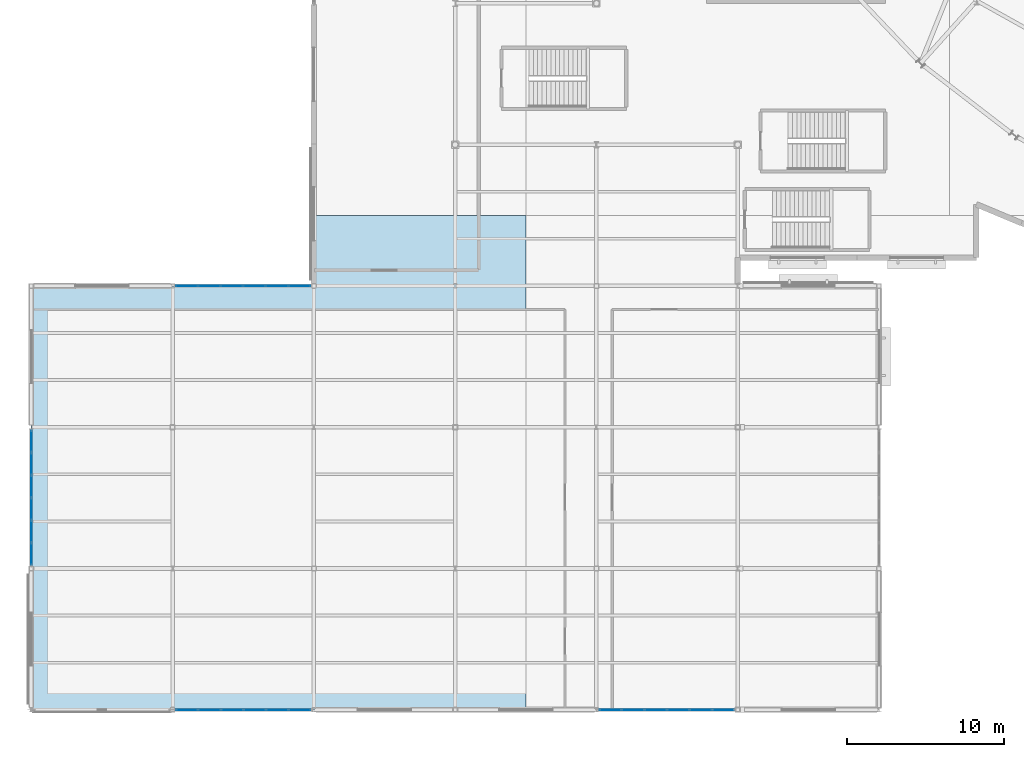
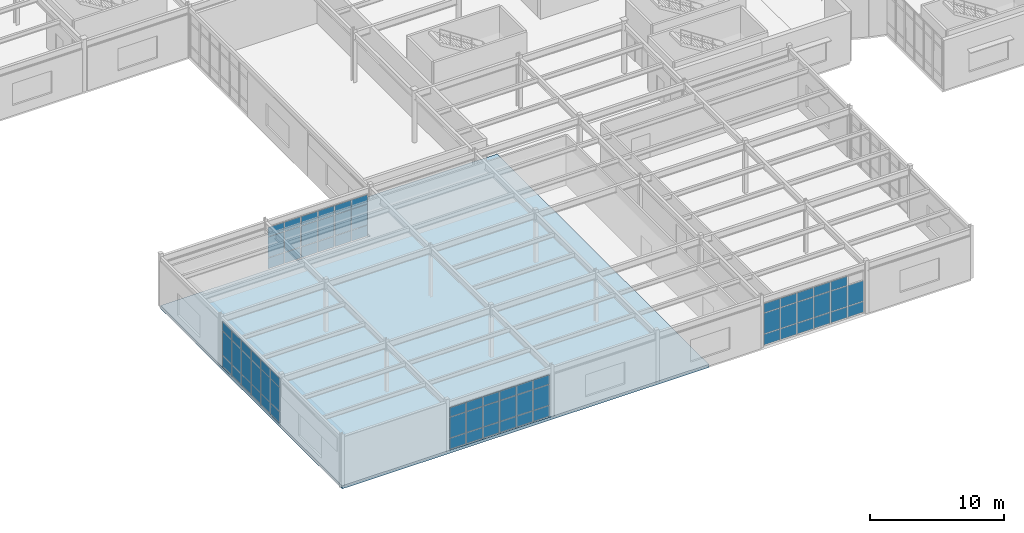
# One storey, part 49 of 84: 71 plates, 1 slab, 4 elements without a shape of their own.
"""IFC4 building model written with IfcOpenShell, lengths in metres."""

from ifc_helpers import new_model, si_unit, direction, frame, origin, origin_2d, place, context, subcontext, project, spatial, polyline, rectangle, outline, extrude, material, layer, layer_set, type_object, element, aggregate, save


model = new_model("IFC4")

# Units and contexts
model_context = context("Model", 3, precision=1e-05, world=origin(), true_north=direction((0.0, 1.0)))
body_context = subcontext(model_context, "Body", "Model", "MODEL_VIEW")
ifc_project = project(units=[si_unit("LENGTHUNIT", "METRE"), si_unit("AREAUNIT", "SQUARE_METRE"), si_unit("VOLUMEUNIT", "CUBIC_METRE"), si_unit("PLANEANGLEUNIT", "RADIAN"), si_unit("MASSUNIT", "GRAM", prefix="KILO")], contexts=[model_context])

# Site, building, storey
site_placement = place(None, origin())
site = spatial("IfcSite", under=ifc_project, at=site_placement, CompositionType="ELEMENT")
building_placement = place(site_placement, origin())
building = spatial("IfcBuilding", under=site, at=building_placement, Name="Glasvene Arena", CompositionType="ELEMENT")
storey_placement = place(building_placement, frame((0.0, 0.0, 10.199951171875)))
storey = spatial("IfcBuildingStorey", under=building, at=storey_placement, Name="L02", CompositionType="ELEMENT", Elevation=10.199951171875)

# Curtain wall, plates
ifc_material_1 = material(Name="Low-emissivity laminated double glazing", Category="glass")
curtain_wall_type_1 = type_object("IfcCurtainWallType", Name="CW-FAC-L02-864x385", PredefinedType="USERDEFINED", material=ifc_material_1)
curtain_wall_1_placement = place(storey_placement, frame((44.80810546875, 0.0, 0.0)))
curtain_wall_1 = element("IfcCurtainWall", 1, at=curtain_wall_1_placement, inside=storey, type_object=curtain_wall_type_1, Name="Unitised curtain wall CW-F-L02-150-405-0-70", ObjectType="CURTAIN WALL", PredefinedType="USERDEFINED")
ifc_layer_1 = layer(ifc_material_1, 0.028076171875)
ifc_layer_set_1 = layer_set([ifc_layer_1], Name="Low-emissivity laminated double glazing")
plate_type = type_object("IfcPlateType", Name="CW-GLZ-28", PredefinedType="CURTAIN_PANEL", material=ifc_layer_set_1)
plate_1_placement = place(storey_placement, frame((44.07568359375, 0.0, 0.10986328125), z_axis=(0.0, 0.0, 1.0), x_axis=(-1.0, 0.0, 0.0)))
plate_1 = element("IfcPlate", 2, at=plate_1_placement, type_object=plate_type, Name="CW-030 panel 1.1", PredefinedType="CURTAIN_PANEL", context=body_context, shape_type="SweptSolid", body=[
    extrude(rectangle(XDim=1.36474609375, YDim=0.028076171875, at=origin_2d()), origin(), (0.0, 0.0, 1.0), 0.965087890625),
])
plate_2_placement = place(storey_placement, frame((44.07568359375, 0.0, 1.125), z_axis=(0.0, 0.0, 1.0), x_axis=(-1.0, 0.0, 0.0)))
plate_2 = element("IfcPlate", 3, at=plate_2_placement, type_object=plate_type, Name="CW-030 panel 1.2", PredefinedType="CURTAIN_PANEL", context=body_context, shape_type="SweptSolid", body=[
    extrude(rectangle(XDim=1.36474609375, YDim=0.028076171875, at=origin_2d()), origin(), (0.0, 0.0, 1.0), 1.85693359375),
])
plate_3_placement = place(storey_placement, frame((42.6484375, 0.0, 0.10986328125), z_axis=(0.0, 0.0, 1.0), x_axis=(-1.0, 0.0, 0.0)))
plate_3 = element("IfcPlate", 4, at=plate_3_placement, type_object=plate_type, Name="CW-030 panel 2.1", PredefinedType="CURTAIN_PANEL", context=body_context, shape_type="SweptSolid", body=[
    extrude(rectangle(XDim=1.3896484375, YDim=0.028076171875, at=origin_2d()), origin(), (0.0, 0.0, 1.0), 0.965087890625),
])
plate_4_placement = place(storey_placement, frame((42.6484375, 0.0, 1.125), z_axis=(0.0, 0.0, 1.0), x_axis=(-1.0, 0.0, 0.0)))
plate_4 = element("IfcPlate", 5, at=plate_4_placement, type_object=plate_type, Name="CW-030 panel 2.2", PredefinedType="CURTAIN_PANEL", context=body_context, shape_type="SweptSolid", body=[
    extrude(rectangle(XDim=1.3896484375, YDim=0.028076171875, at=origin_2d()), origin(), (0.0, 0.0, 1.0), 1.85693359375),
])
plate_5_placement = place(storey_placement, frame((42.6484375, 0.0, 3.0322265625), z_axis=(0.0, 0.0, 1.0), x_axis=(-1.0, 0.0, 0.0)))
plate_5 = element("IfcPlate", 6, at=plate_5_placement, type_object=plate_type, Name="CW-030 panel 2.3", PredefinedType="CURTAIN_PANEL", context=body_context, shape_type="SweptSolid", body=[
    extrude(rectangle(XDim=1.3896484375, YDim=0.028076171875, at=origin_2d()), origin(), (0.0, 0.0, 1.0), 0.824951171875),
])
plate_6_placement = place(storey_placement, frame((41.208984375, 0.0, 0.10986328125), z_axis=(0.0, 0.0, 1.0), x_axis=(-1.0, 0.0, 0.0)))
plate_6 = element("IfcPlate", 7, at=plate_6_placement, type_object=plate_type, Name="CW-030 panel 3.1", PredefinedType="CURTAIN_PANEL", context=body_context, shape_type="SweptSolid", body=[
    extrude(rectangle(XDim=1.3896484375, YDim=0.028076171875, at=origin_2d()), origin(), (0.0, 0.0, 1.0), 0.965087890625),
])
plate_7_placement = place(storey_placement, frame((41.208984375, 0.0, 1.125), z_axis=(0.0, 0.0, 1.0), x_axis=(-1.0, 0.0, 0.0)))
plate_7 = element("IfcPlate", 8, at=plate_7_placement, type_object=plate_type, Name="CW-030 panel 3.2", PredefinedType="CURTAIN_PANEL", context=body_context, shape_type="SweptSolid", body=[
    extrude(rectangle(XDim=1.3896484375, YDim=0.028076171875, at=origin_2d()), origin(), (0.0, 0.0, 1.0), 1.85693359375),
])
plate_8_placement = place(storey_placement, frame((41.208984375, 0.0, 3.0322265625), z_axis=(0.0, 0.0, 1.0), x_axis=(-1.0, 0.0, 0.0)))
plate_8 = element("IfcPlate", 9, at=plate_8_placement, type_object=plate_type, Name="CW-030 panel 3.3", PredefinedType="CURTAIN_PANEL", context=body_context, shape_type="SweptSolid", body=[
    extrude(rectangle(XDim=1.3896484375, YDim=0.028076171875, at=origin_2d()), origin(), (0.0, 0.0, 1.0), 0.824951171875),
])
plate_9_placement = place(storey_placement, frame((39.769287109375, 0.0, 0.10986328125), z_axis=(0.0, 0.0, 1.0), x_axis=(-1.0, 0.0, 0.0)))
plate_9 = element("IfcPlate", 10, at=plate_9_placement, type_object=plate_type, Name="CW-030 panel 4.1", PredefinedType="CURTAIN_PANEL", context=body_context, shape_type="SweptSolid", body=[
    extrude(rectangle(XDim=1.3896484375, YDim=0.028076171875, at=origin_2d()), origin(), (0.0, 0.0, 1.0), 0.965087890625),
])
plate_10_placement = place(storey_placement, frame((39.769287109375, 0.0, 1.125), z_axis=(0.0, 0.0, 1.0), x_axis=(-1.0, 0.0, 0.0)))
plate_10 = element("IfcPlate", 11, at=plate_10_placement, type_object=plate_type, Name="CW-030 panel 4.2", PredefinedType="CURTAIN_PANEL", context=body_context, shape_type="SweptSolid", body=[
    extrude(rectangle(XDim=1.3896484375, YDim=0.028076171875, at=origin_2d()), origin(), (0.0, 0.0, 1.0), 1.85693359375),
])
plate_11_placement = place(storey_placement, frame((39.769287109375, 0.0, 3.0322265625), z_axis=(0.0, 0.0, 1.0), x_axis=(-1.0, 0.0, 0.0)))
plate_11 = element("IfcPlate", 12, at=plate_11_placement, type_object=plate_type, Name="CW-030 panel 4.3", PredefinedType="CURTAIN_PANEL", context=body_context, shape_type="SweptSolid", body=[
    extrude(rectangle(XDim=1.3896484375, YDim=0.028076171875, at=origin_2d()), origin(), (0.0, 0.0, 1.0), 0.824951171875),
])
plate_12_placement = place(storey_placement, frame((38.32958984375, 0.0, 0.10986328125), z_axis=(0.0, 0.0, 1.0), x_axis=(-1.0, 0.0, 0.0)))
plate_12 = element("IfcPlate", 13, at=plate_12_placement, type_object=plate_type, Name="CW-030 panel 5.1", PredefinedType="CURTAIN_PANEL", context=body_context, shape_type="SweptSolid", body=[
    extrude(rectangle(XDim=1.3896484375, YDim=0.028076171875, at=origin_2d()), origin(), (0.0, 0.0, 1.0), 0.965087890625),
])
plate_13_placement = place(storey_placement, frame((38.32958984375, 0.0, 1.125), z_axis=(0.0, 0.0, 1.0), x_axis=(-1.0, 0.0, 0.0)))
plate_13 = element("IfcPlate", 14, at=plate_13_placement, type_object=plate_type, Name="CW-030 panel 5.2", PredefinedType="CURTAIN_PANEL", context=body_context, shape_type="SweptSolid", body=[
    extrude(rectangle(XDim=1.3896484375, YDim=0.028076171875, at=origin_2d()), origin(), (0.0, 0.0, 1.0), 1.85693359375),
])
plate_14_placement = place(storey_placement, frame((38.32958984375, 0.0, 3.0322265625), z_axis=(0.0, 0.0, 1.0), x_axis=(-1.0, 0.0, 0.0)))
plate_14 = element("IfcPlate", 15, at=plate_14_placement, type_object=plate_type, Name="CW-030 panel 5.3", PredefinedType="CURTAIN_PANEL", context=body_context, shape_type="SweptSolid", body=[
    extrude(rectangle(XDim=1.3896484375, YDim=0.028076171875, at=origin_2d()), origin(), (0.0, 0.0, 1.0), 0.824951171875),
])
plate_15_placement = place(storey_placement, frame((36.902587890625, 0.0, 0.10986328125), z_axis=(0.0, 0.0, 1.0), x_axis=(-1.0, 0.0, 0.0)))
plate_15 = element("IfcPlate", 16, at=plate_15_placement, type_object=plate_type, Name="CW-030 panel 6.1", PredefinedType="CURTAIN_PANEL", context=body_context, shape_type="SweptSolid", body=[
    extrude(rectangle(XDim=1.36474609375, YDim=0.028076171875, at=origin_2d()), origin(), (0.0, 0.0, 1.0), 0.965087890625),
])
plate_16_placement = place(storey_placement, frame((36.902587890625, 0.0, 1.125), z_axis=(0.0, 0.0, 1.0), x_axis=(-1.0, 0.0, 0.0)))
plate_16 = element("IfcPlate", 17, at=plate_16_placement, type_object=plate_type, Name="CW-030 panel 6.2", PredefinedType="CURTAIN_PANEL", context=body_context, shape_type="SweptSolid", body=[
    extrude(rectangle(XDim=1.36474609375, YDim=0.028076171875, at=origin_2d()), origin(), (0.0, 0.0, 1.0), 1.85693359375),
])
plate_17_placement = place(storey_placement, frame((36.902587890625, 0.0, 3.0322265625), z_axis=(0.0, 0.0, 1.0), x_axis=(-1.0, 0.0, 0.0)))
plate_17 = element("IfcPlate", 18, at=plate_17_placement, type_object=plate_type, Name="CW-030 panel 6.3", PredefinedType="CURTAIN_PANEL", context=body_context, shape_type="SweptSolid", body=[
    extrude(rectangle(XDim=1.36474609375, YDim=0.028076171875, at=origin_2d()), origin(), (0.0, 0.0, 1.0), 0.824951171875),
])
aggregate(curtain_wall_1, [plate_1, plate_2, plate_3, plate_4, plate_5, plate_6, plate_7, plate_8, plate_9, plate_10, plate_11, plate_12, plate_13, plate_14, plate_15, plate_16, plate_17])

curtain_wall_2_placement = place(storey_placement, frame((17.829833984375, 0.0, 0.0)))
curtain_wall_2 = element("IfcCurtainWall", 19, at=curtain_wall_2_placement, inside=storey, type_object=curtain_wall_type_1, Name="Unitised curtain wall CW-F-L02-150-135-0-73", ObjectType="CURTAIN WALL", PredefinedType="USERDEFINED")
plate_18_placement = place(storey_placement, frame((17.097412109375, 0.0, 0.10986328125), z_axis=(0.0, 0.0, 1.0), x_axis=(-1.0, 0.0, 0.0)))
plate_18 = element("IfcPlate", 20, at=plate_18_placement, type_object=plate_type, Name="CW-030 panel 1.1", PredefinedType="CURTAIN_PANEL", context=body_context, shape_type="SweptSolid", body=[
    extrude(rectangle(XDim=1.36474609375, YDim=0.028076171875, at=origin_2d()), origin(), (0.0, 0.0, 1.0), 0.965087890625),
])
plate_19_placement = place(storey_placement, frame((17.097412109375, 0.0, 1.125), z_axis=(0.0, 0.0, 1.0), x_axis=(-1.0, 0.0, 0.0)))
plate_19 = element("IfcPlate", 21, at=plate_19_placement, type_object=plate_type, Name="CW-030 panel 1.2", PredefinedType="CURTAIN_PANEL", context=body_context, shape_type="SweptSolid", body=[
    extrude(rectangle(XDim=1.36474609375, YDim=0.028076171875, at=origin_2d()), origin(), (0.0, 0.0, 1.0), 1.85693359375),
])
plate_20_placement = place(storey_placement, frame((17.097412109375, 0.0, 3.0322265625), z_axis=(0.0, 0.0, 1.0), x_axis=(-1.0, 0.0, 0.0)))
plate_20 = element("IfcPlate", 22, at=plate_20_placement, type_object=plate_type, Name="CW-030 panel 1.3", PredefinedType="CURTAIN_PANEL", context=body_context, shape_type="SweptSolid", body=[
    extrude(rectangle(XDim=1.36474609375, YDim=0.028076171875, at=origin_2d()), origin(), (0.0, 0.0, 1.0), 0.824951171875),
])
plate_21_placement = place(storey_placement, frame((15.67041015625, 0.0, 0.10986328125), z_axis=(0.0, 0.0, 1.0), x_axis=(-1.0, 0.0, 0.0)))
plate_21 = element("IfcPlate", 23, at=plate_21_placement, type_object=plate_type, Name="CW-030 panel 2.1", PredefinedType="CURTAIN_PANEL", context=body_context, shape_type="SweptSolid", body=[
    extrude(rectangle(XDim=1.3896484375, YDim=0.028076171875, at=origin_2d()), origin(), (0.0, 0.0, 1.0), 0.965087890625),
])
plate_22_placement = place(storey_placement, frame((15.67041015625, 0.0, 1.125), z_axis=(0.0, 0.0, 1.0), x_axis=(-1.0, 0.0, 0.0)))
plate_22 = element("IfcPlate", 24, at=plate_22_placement, type_object=plate_type, Name="CW-030 panel 2.2", PredefinedType="CURTAIN_PANEL", context=body_context, shape_type="SweptSolid", body=[
    extrude(rectangle(XDim=1.3896484375, YDim=0.028076171875, at=origin_2d()), origin(), (0.0, 0.0, 1.0), 1.85693359375),
])
plate_23_placement = place(storey_placement, frame((15.67041015625, 0.0, 3.0322265625), z_axis=(0.0, 0.0, 1.0), x_axis=(-1.0, 0.0, 0.0)))
plate_23 = element("IfcPlate", 25, at=plate_23_placement, type_object=plate_type, Name="CW-030 panel 2.3", PredefinedType="CURTAIN_PANEL", context=body_context, shape_type="SweptSolid", body=[
    extrude(rectangle(XDim=1.3896484375, YDim=0.028076171875, at=origin_2d()), origin(), (0.0, 0.0, 1.0), 0.824951171875),
])
plate_24_placement = place(storey_placement, frame((14.230712890625, 0.0, 0.10986328125), z_axis=(0.0, 0.0, 1.0), x_axis=(-1.0, 0.0, 0.0)))
plate_24 = element("IfcPlate", 26, at=plate_24_placement, type_object=plate_type, Name="CW-030 panel 3.1", PredefinedType="CURTAIN_PANEL", context=body_context, shape_type="SweptSolid", body=[
    extrude(rectangle(XDim=1.3896484375, YDim=0.028076171875, at=origin_2d()), origin(), (0.0, 0.0, 1.0), 0.965087890625),
])
plate_25_placement = place(storey_placement, frame((14.230712890625, 0.0, 1.125), z_axis=(0.0, 0.0, 1.0), x_axis=(-1.0, 0.0, 0.0)))
plate_25 = element("IfcPlate", 27, at=plate_25_placement, type_object=plate_type, Name="CW-030 panel 3.2", PredefinedType="CURTAIN_PANEL", context=body_context, shape_type="SweptSolid", body=[
    extrude(rectangle(XDim=1.3896484375, YDim=0.028076171875, at=origin_2d()), origin(), (0.0, 0.0, 1.0), 1.85693359375),
])
plate_26_placement = place(storey_placement, frame((14.230712890625, 0.0, 3.0322265625), z_axis=(0.0, 0.0, 1.0), x_axis=(-1.0, 0.0, 0.0)))
plate_26 = element("IfcPlate", 28, at=plate_26_placement, type_object=plate_type, Name="CW-030 panel 3.3", PredefinedType="CURTAIN_PANEL", context=body_context, shape_type="SweptSolid", body=[
    extrude(rectangle(XDim=1.3896484375, YDim=0.028076171875, at=origin_2d()), origin(), (0.0, 0.0, 1.0), 0.824951171875),
])
plate_27_placement = place(storey_placement, frame((12.791015625, 0.0, 0.10986328125), z_axis=(0.0, 0.0, 1.0), x_axis=(-1.0, 0.0, 0.0)))
plate_27 = element("IfcPlate", 29, at=plate_27_placement, type_object=plate_type, Name="CW-030 panel 4.1", PredefinedType="CURTAIN_PANEL", context=body_context, shape_type="SweptSolid", body=[
    extrude(rectangle(XDim=1.3896484375, YDim=0.028076171875, at=origin_2d()), origin(), (0.0, 0.0, 1.0), 0.965087890625),
])
plate_28_placement = place(storey_placement, frame((12.791015625, 0.0, 1.125), z_axis=(0.0, 0.0, 1.0), x_axis=(-1.0, 0.0, 0.0)))
plate_28 = element("IfcPlate", 30, at=plate_28_placement, type_object=plate_type, Name="CW-030 panel 4.2", PredefinedType="CURTAIN_PANEL", context=body_context, shape_type="SweptSolid", body=[
    extrude(rectangle(XDim=1.3896484375, YDim=0.028076171875, at=origin_2d()), origin(), (0.0, 0.0, 1.0), 1.85693359375),
])
plate_29_placement = place(storey_placement, frame((12.791015625, 0.0, 3.0322265625), z_axis=(0.0, 0.0, 1.0), x_axis=(-1.0, 0.0, 0.0)))
plate_29 = element("IfcPlate", 31, at=plate_29_placement, type_object=plate_type, Name="CW-030 panel 4.3", PredefinedType="CURTAIN_PANEL", context=body_context, shape_type="SweptSolid", body=[
    extrude(rectangle(XDim=1.3896484375, YDim=0.028076171875, at=origin_2d()), origin(), (0.0, 0.0, 1.0), 0.824951171875),
])
plate_30_placement = place(storey_placement, frame((11.3515625, 0.0, 0.10986328125), z_axis=(0.0, 0.0, 1.0), x_axis=(-1.0, 0.0, 0.0)))
plate_30 = element("IfcPlate", 32, at=plate_30_placement, type_object=plate_type, Name="CW-030 panel 5.1", PredefinedType="CURTAIN_PANEL", context=body_context, shape_type="SweptSolid", body=[
    extrude(rectangle(XDim=1.3896484375, YDim=0.028076171875, at=origin_2d()), origin(), (0.0, 0.0, 1.0), 0.965087890625),
])
plate_31_placement = place(storey_placement, frame((11.3515625, 0.0, 1.125), z_axis=(0.0, 0.0, 1.0), x_axis=(-1.0, 0.0, 0.0)))
plate_31 = element("IfcPlate", 33, at=plate_31_placement, type_object=plate_type, Name="CW-030 panel 5.2", PredefinedType="CURTAIN_PANEL", context=body_context, shape_type="SweptSolid", body=[
    extrude(rectangle(XDim=1.3896484375, YDim=0.028076171875, at=origin_2d()), origin(), (0.0, 0.0, 1.0), 1.85693359375),
])
plate_32_placement = place(storey_placement, frame((11.3515625, 0.0, 3.0322265625), z_axis=(0.0, 0.0, 1.0), x_axis=(-1.0, 0.0, 0.0)))
plate_32 = element("IfcPlate", 34, at=plate_32_placement, type_object=plate_type, Name="CW-030 panel 5.3", PredefinedType="CURTAIN_PANEL", context=body_context, shape_type="SweptSolid", body=[
    extrude(rectangle(XDim=1.3896484375, YDim=0.028076171875, at=origin_2d()), origin(), (0.0, 0.0, 1.0), 0.824951171875),
])
plate_33_placement = place(storey_placement, frame((9.92431640625, 0.0, 0.10986328125), z_axis=(0.0, 0.0, 1.0), x_axis=(-1.0, 0.0, 0.0)))
plate_33 = element("IfcPlate", 35, at=plate_33_placement, type_object=plate_type, Name="CW-030 panel 6.1", PredefinedType="CURTAIN_PANEL", context=body_context, shape_type="SweptSolid", body=[
    extrude(rectangle(XDim=1.36474609375, YDim=0.028076171875, at=origin_2d()), origin(), (0.0, 0.0, 1.0), 0.965087890625),
])
plate_34_placement = place(storey_placement, frame((9.92431640625, 0.0, 1.125), z_axis=(0.0, 0.0, 1.0), x_axis=(-1.0, 0.0, 0.0)))
plate_34 = element("IfcPlate", 36, at=plate_34_placement, type_object=plate_type, Name="CW-030 panel 6.2", PredefinedType="CURTAIN_PANEL", context=body_context, shape_type="SweptSolid", body=[
    extrude(rectangle(XDim=1.36474609375, YDim=0.028076171875, at=origin_2d()), origin(), (0.0, 0.0, 1.0), 1.85693359375),
])
plate_35_placement = place(storey_placement, frame((9.92431640625, 0.0, 3.0322265625), z_axis=(0.0, 0.0, 1.0), x_axis=(-1.0, 0.0, 0.0)))
plate_35 = element("IfcPlate", 37, at=plate_35_placement, type_object=plate_type, Name="CW-030 panel 6.3", PredefinedType="CURTAIN_PANEL", context=body_context, shape_type="SweptSolid", body=[
    extrude(rectangle(XDim=1.36474609375, YDim=0.028076171875, at=origin_2d()), origin(), (0.0, 0.0, 1.0), 0.824951171875),
])
aggregate(curtain_wall_2, [plate_18, plate_19, plate_20, plate_21, plate_22, plate_23, plate_24, plate_25, plate_26, plate_27, plate_28, plate_29, plate_30, plate_31, plate_32, plate_33, plate_34, plate_35])

curtain_wall_type_2 = type_object("IfcCurtainWallType", Name="CW-FAC-L02-864x416", PredefinedType="USERDEFINED", material=ifc_material_1)
curtain_wall_3_placement = place(storey_placement, frame((0.0, 9.19189453125, 0.0)))
curtain_wall_3 = element("IfcCurtainWall", 38, at=curtain_wall_3_placement, inside=storey, type_object=curtain_wall_type_2, Name="Unitised curtain wall CW-F-L02-180-0-135-76", ObjectType="CURTAIN WALL", PredefinedType="USERDEFINED")
plate_36_placement = place(storey_placement, frame((0.0, 9.924072265625, 0.10986328125), z_axis=(0.0, 0.0, 1.0), x_axis=(0.0, 1.0, 0.0)))
plate_36 = element("IfcPlate", 39, at=plate_36_placement, type_object=plate_type, Name="CW-029 panel 1.1", PredefinedType="CURTAIN_PANEL", context=body_context, shape_type="SweptSolid", body=[
    extrude(rectangle(XDim=1.3642578125, YDim=0.028076171875, at=origin_2d()), origin(), (0.0, 0.0, 1.0), 0.965087890625),
])
plate_37_placement = place(storey_placement, frame((0.0, 9.924072265625, 1.125), z_axis=(0.0, 0.0, 1.0), x_axis=(0.0, 1.0, 0.0)))
plate_37 = element("IfcPlate", 40, at=plate_37_placement, type_object=plate_type, Name="CW-029 panel 1.2", PredefinedType="CURTAIN_PANEL", context=body_context, shape_type="SweptSolid", body=[
    extrude(rectangle(XDim=1.3642578125, YDim=0.028076171875, at=origin_2d()), origin(), (0.0, 0.0, 1.0), 2.1650390625),
])
plate_38_placement = place(storey_placement, frame((0.0, 9.924072265625, 3.33984375), z_axis=(0.0, 0.0, 1.0), x_axis=(0.0, 1.0, 0.0)))
plate_38 = element("IfcPlate", 41, at=plate_38_placement, type_object=plate_type, Name="CW-029 panel 1.3", PredefinedType="CURTAIN_PANEL", context=body_context, shape_type="SweptSolid", body=[
    extrude(rectangle(XDim=1.3642578125, YDim=0.028076171875, at=origin_2d()), origin(), (0.0, 0.0, 1.0), 0.824951171875),
])
plate_39_placement = place(storey_placement, frame((0.0, 11.35107421875, 0.10986328125), z_axis=(0.0, 0.0, 1.0), x_axis=(0.0, 1.0, 0.0)))
plate_39 = element("IfcPlate", 42, at=plate_39_placement, type_object=plate_type, Name="CW-029 panel 2.1", PredefinedType="CURTAIN_PANEL", context=body_context, shape_type="SweptSolid", body=[
    extrude(rectangle(XDim=1.389404296875, YDim=0.028076171875, at=origin_2d()), origin(), (0.0, 0.0, 1.0), 0.965087890625),
])
plate_40_placement = place(storey_placement, frame((0.0, 11.35107421875, 1.125), z_axis=(0.0, 0.0, 1.0), x_axis=(0.0, 1.0, 0.0)))
plate_40 = element("IfcPlate", 43, at=plate_40_placement, type_object=plate_type, Name="CW-029 panel 2.2", PredefinedType="CURTAIN_PANEL", context=body_context, shape_type="SweptSolid", body=[
    extrude(rectangle(XDim=1.389404296875, YDim=0.028076171875, at=origin_2d()), origin(), (0.0, 0.0, 1.0), 2.1650390625),
])
plate_41_placement = place(storey_placement, frame((0.0, 11.35107421875, 3.33984375), z_axis=(0.0, 0.0, 1.0), x_axis=(0.0, 1.0, 0.0)))
plate_41 = element("IfcPlate", 44, at=plate_41_placement, type_object=plate_type, Name="CW-029 panel 2.3", PredefinedType="CURTAIN_PANEL", context=body_context, shape_type="SweptSolid", body=[
    extrude(rectangle(XDim=1.389404296875, YDim=0.028076171875, at=origin_2d()), origin(), (0.0, 0.0, 1.0), 0.824951171875),
])
plate_42_placement = place(storey_placement, frame((0.0, 12.790283203125, 0.10986328125), z_axis=(0.0, 0.0, 1.0), x_axis=(0.0, 1.0, 0.0)))
plate_42 = element("IfcPlate", 45, at=plate_42_placement, type_object=plate_type, Name="CW-029 panel 3.1", PredefinedType="CURTAIN_PANEL", context=body_context, shape_type="SweptSolid", body=[
    extrude(rectangle(XDim=1.389404296875, YDim=0.028076171875, at=origin_2d()), origin(), (0.0, 0.0, 1.0), 0.965087890625),
])
plate_43_placement = place(storey_placement, frame((0.0, 12.790283203125, 1.125), z_axis=(0.0, 0.0, 1.0), x_axis=(0.0, 1.0, 0.0)))
plate_43 = element("IfcPlate", 46, at=plate_43_placement, type_object=plate_type, Name="CW-029 panel 3.2", PredefinedType="CURTAIN_PANEL", context=body_context, shape_type="SweptSolid", body=[
    extrude(rectangle(XDim=1.389404296875, YDim=0.028076171875, at=origin_2d()), origin(), (0.0, 0.0, 1.0), 2.1650390625),
])
plate_44_placement = place(storey_placement, frame((0.0, 12.790283203125, 3.33984375), z_axis=(0.0, 0.0, 1.0), x_axis=(0.0, 1.0, 0.0)))
plate_44 = element("IfcPlate", 47, at=plate_44_placement, type_object=plate_type, Name="CW-029 panel 3.3", PredefinedType="CURTAIN_PANEL", context=body_context, shape_type="SweptSolid", body=[
    extrude(rectangle(XDim=1.389404296875, YDim=0.028076171875, at=origin_2d()), origin(), (0.0, 0.0, 1.0), 0.824951171875),
])
plate_45_placement = place(storey_placement, frame((0.0, 14.2294921875, 0.10986328125), z_axis=(0.0, 0.0, 1.0), x_axis=(0.0, 1.0, 0.0)))
plate_45 = element("IfcPlate", 48, at=plate_45_placement, type_object=plate_type, Name="CW-029 panel 4.1", PredefinedType="CURTAIN_PANEL", context=body_context, shape_type="SweptSolid", body=[
    extrude(rectangle(XDim=1.389404296875, YDim=0.028076171875, at=origin_2d()), origin(), (0.0, 0.0, 1.0), 0.965087890625),
])
plate_46_placement = place(storey_placement, frame((0.0, 14.2294921875, 1.125), z_axis=(0.0, 0.0, 1.0), x_axis=(0.0, 1.0, 0.0)))
plate_46 = element("IfcPlate", 49, at=plate_46_placement, type_object=plate_type, Name="CW-029 panel 4.2", PredefinedType="CURTAIN_PANEL", context=body_context, shape_type="SweptSolid", body=[
    extrude(rectangle(XDim=1.389404296875, YDim=0.028076171875, at=origin_2d()), origin(), (0.0, 0.0, 1.0), 2.1650390625),
])
plate_47_placement = place(storey_placement, frame((0.0, 14.2294921875, 3.33984375), z_axis=(0.0, 0.0, 1.0), x_axis=(0.0, 1.0, 0.0)))
plate_47 = element("IfcPlate", 50, at=plate_47_placement, type_object=plate_type, Name="CW-029 panel 4.3", PredefinedType="CURTAIN_PANEL", context=body_context, shape_type="SweptSolid", body=[
    extrude(rectangle(XDim=1.389404296875, YDim=0.028076171875, at=origin_2d()), origin(), (0.0, 0.0, 1.0), 0.824951171875),
])
plate_48_placement = place(storey_placement, frame((0.0, 15.6689453125, 0.10986328125), z_axis=(0.0, 0.0, 1.0), x_axis=(0.0, 1.0, 0.0)))
plate_48 = element("IfcPlate", 51, at=plate_48_placement, type_object=plate_type, Name="CW-029 panel 5.1", PredefinedType="CURTAIN_PANEL", context=body_context, shape_type="SweptSolid", body=[
    extrude(rectangle(XDim=1.389404296875, YDim=0.028076171875, at=origin_2d()), origin(), (0.0, 0.0, 1.0), 0.965087890625),
])
plate_49_placement = place(storey_placement, frame((0.0, 15.6689453125, 1.125), z_axis=(0.0, 0.0, 1.0), x_axis=(0.0, 1.0, 0.0)))
plate_49 = element("IfcPlate", 52, at=plate_49_placement, type_object=plate_type, Name="CW-029 panel 5.2", PredefinedType="CURTAIN_PANEL", context=body_context, shape_type="SweptSolid", body=[
    extrude(rectangle(XDim=1.389404296875, YDim=0.028076171875, at=origin_2d()), origin(), (0.0, 0.0, 1.0), 2.1650390625),
])
plate_50_placement = place(storey_placement, frame((0.0, 15.6689453125, 3.33984375), z_axis=(0.0, 0.0, 1.0), x_axis=(0.0, 1.0, 0.0)))
plate_50 = element("IfcPlate", 53, at=plate_50_placement, type_object=plate_type, Name="CW-029 panel 5.3", PredefinedType="CURTAIN_PANEL", context=body_context, shape_type="SweptSolid", body=[
    extrude(rectangle(XDim=1.389404296875, YDim=0.028076171875, at=origin_2d()), origin(), (0.0, 0.0, 1.0), 0.824951171875),
])
plate_51_placement = place(storey_placement, frame((0.0, 17.095703125, 0.10986328125), z_axis=(0.0, 0.0, 1.0), x_axis=(0.0, 1.0, 0.0)))
plate_51 = element("IfcPlate", 54, at=plate_51_placement, type_object=plate_type, Name="CW-029 panel 6.1", PredefinedType="CURTAIN_PANEL", context=body_context, shape_type="SweptSolid", body=[
    extrude(rectangle(XDim=1.3642578125, YDim=0.028076171875, at=origin_2d()), origin(), (0.0, 0.0, 1.0), 0.965087890625),
])
plate_52_placement = place(storey_placement, frame((0.0, 17.095703125, 1.125), z_axis=(0.0, 0.0, 1.0), x_axis=(0.0, 1.0, 0.0)))
plate_52 = element("IfcPlate", 55, at=plate_52_placement, type_object=plate_type, Name="CW-029 panel 6.2", PredefinedType="CURTAIN_PANEL", context=body_context, shape_type="SweptSolid", body=[
    extrude(rectangle(XDim=1.3642578125, YDim=0.028076171875, at=origin_2d()), origin(), (0.0, 0.0, 1.0), 2.1650390625),
])
plate_53_placement = place(storey_placement, frame((0.0, 17.095703125, 3.33984375), z_axis=(0.0, 0.0, 1.0), x_axis=(0.0, 1.0, 0.0)))
plate_53 = element("IfcPlate", 56, at=plate_53_placement, type_object=plate_type, Name="CW-029 panel 6.3", PredefinedType="CURTAIN_PANEL", context=body_context, shape_type="SweptSolid", body=[
    extrude(rectangle(XDim=1.3642578125, YDim=0.028076171875, at=origin_2d()), origin(), (0.0, 0.0, 1.0), 0.824951171875),
])
aggregate(curtain_wall_3, [plate_36, plate_37, plate_38, plate_39, plate_40, plate_41, plate_42, plate_43, plate_44, plate_45, plate_46, plate_47, plate_48, plate_49, plate_50, plate_51, plate_52, plate_53])

curtain_wall_4_placement = place(storey_placement, frame((9.170166015625, 27.0, 0.0)))
curtain_wall_4 = element("IfcCurtainWall", 57, at=curtain_wall_4_placement, inside=storey, type_object=curtain_wall_type_1, Name="Unitised curtain wall CW-F-L02-150-135-270-79", ObjectType="CURTAIN WALL", PredefinedType="USERDEFINED")
plate_54_placement = place(storey_placement, frame((9.902587890625, 27.0, 0.10986328125), z_axis=(0.0, 0.0, 1.0), x_axis=(1.0, 0.0, 0.0)))
plate_54 = element("IfcPlate", 58, at=plate_54_placement, type_object=plate_type, Name="CW-030 panel 1.1", PredefinedType="CURTAIN_PANEL", context=body_context, shape_type="SweptSolid", body=[
    extrude(rectangle(XDim=1.36474609375, YDim=0.028076171875, at=origin_2d()), origin(), (0.0, 0.0, 1.0), 0.965087890625),
])
plate_55_placement = place(storey_placement, frame((9.902587890625, 27.0, 1.125), z_axis=(0.0, 0.0, 1.0), x_axis=(1.0, 0.0, 0.0)))
plate_55 = element("IfcPlate", 59, at=plate_55_placement, type_object=plate_type, Name="CW-030 panel 1.2", PredefinedType="CURTAIN_PANEL", context=body_context, shape_type="SweptSolid", body=[
    extrude(rectangle(XDim=1.36474609375, YDim=0.028076171875, at=origin_2d()), origin(), (0.0, 0.0, 1.0), 1.85693359375),
])
plate_56_placement = place(storey_placement, frame((9.902587890625, 27.0, 3.0322265625), z_axis=(0.0, 0.0, 1.0), x_axis=(1.0, 0.0, 0.0)))
plate_56 = element("IfcPlate", 60, at=plate_56_placement, type_object=plate_type, Name="CW-030 panel 1.3", PredefinedType="CURTAIN_PANEL", context=body_context, shape_type="SweptSolid", body=[
    extrude(rectangle(XDim=1.36474609375, YDim=0.028076171875, at=origin_2d()), origin(), (0.0, 0.0, 1.0), 0.824951171875),
])
plate_57_placement = place(storey_placement, frame((11.32958984375, 27.0, 0.10986328125), z_axis=(0.0, 0.0, 1.0), x_axis=(1.0, 0.0, 0.0)))
plate_57 = element("IfcPlate", 61, at=plate_57_placement, type_object=plate_type, Name="CW-030 panel 2.1", PredefinedType="CURTAIN_PANEL", context=body_context, shape_type="SweptSolid", body=[
    extrude(rectangle(XDim=1.3896484375, YDim=0.028076171875, at=origin_2d()), origin(), (0.0, 0.0, 1.0), 0.965087890625),
])
plate_58_placement = place(storey_placement, frame((11.32958984375, 27.0, 1.125), z_axis=(0.0, 0.0, 1.0), x_axis=(1.0, 0.0, 0.0)))
plate_58 = element("IfcPlate", 62, at=plate_58_placement, type_object=plate_type, Name="CW-030 panel 2.2", PredefinedType="CURTAIN_PANEL", context=body_context, shape_type="SweptSolid", body=[
    extrude(rectangle(XDim=1.3896484375, YDim=0.028076171875, at=origin_2d()), origin(), (0.0, 0.0, 1.0), 1.85693359375),
])
plate_59_placement = place(storey_placement, frame((11.32958984375, 27.0, 3.0322265625), z_axis=(0.0, 0.0, 1.0), x_axis=(1.0, 0.0, 0.0)))
plate_59 = element("IfcPlate", 63, at=plate_59_placement, type_object=plate_type, Name="CW-030 panel 2.3", PredefinedType="CURTAIN_PANEL", context=body_context, shape_type="SweptSolid", body=[
    extrude(rectangle(XDim=1.3896484375, YDim=0.028076171875, at=origin_2d()), origin(), (0.0, 0.0, 1.0), 0.824951171875),
])
plate_60_placement = place(storey_placement, frame((12.769287109375, 27.0, 0.10986328125), z_axis=(0.0, 0.0, 1.0), x_axis=(1.0, 0.0, 0.0)))
plate_60 = element("IfcPlate", 64, at=plate_60_placement, type_object=plate_type, Name="CW-030 panel 3.1", PredefinedType="CURTAIN_PANEL", context=body_context, shape_type="SweptSolid", body=[
    extrude(rectangle(XDim=1.3896484375, YDim=0.028076171875, at=origin_2d()), origin(), (0.0, 0.0, 1.0), 0.965087890625),
])
plate_61_placement = place(storey_placement, frame((12.769287109375, 27.0, 1.125), z_axis=(0.0, 0.0, 1.0), x_axis=(1.0, 0.0, 0.0)))
plate_61 = element("IfcPlate", 65, at=plate_61_placement, type_object=plate_type, Name="CW-030 panel 3.2", PredefinedType="CURTAIN_PANEL", context=body_context, shape_type="SweptSolid", body=[
    extrude(rectangle(XDim=1.3896484375, YDim=0.028076171875, at=origin_2d()), origin(), (0.0, 0.0, 1.0), 1.85693359375),
])
plate_62_placement = place(storey_placement, frame((12.769287109375, 27.0, 3.0322265625), z_axis=(0.0, 0.0, 1.0), x_axis=(1.0, 0.0, 0.0)))
plate_62 = element("IfcPlate", 66, at=plate_62_placement, type_object=plate_type, Name="CW-030 panel 3.3", PredefinedType="CURTAIN_PANEL", context=body_context, shape_type="SweptSolid", body=[
    extrude(rectangle(XDim=1.3896484375, YDim=0.028076171875, at=origin_2d()), origin(), (0.0, 0.0, 1.0), 0.824951171875),
])
plate_63_placement = place(storey_placement, frame((14.208984375, 27.0, 0.10986328125), z_axis=(0.0, 0.0, 1.0), x_axis=(1.0, 0.0, 0.0)))
plate_63 = element("IfcPlate", 67, at=plate_63_placement, type_object=plate_type, Name="CW-030 panel 4.1", PredefinedType="CURTAIN_PANEL", context=body_context, shape_type="SweptSolid", body=[
    extrude(rectangle(XDim=1.3896484375, YDim=0.028076171875, at=origin_2d()), origin(), (0.0, 0.0, 1.0), 0.965087890625),
])
plate_64_placement = place(storey_placement, frame((14.208984375, 27.0, 1.125), z_axis=(0.0, 0.0, 1.0), x_axis=(1.0, 0.0, 0.0)))
plate_64 = element("IfcPlate", 68, at=plate_64_placement, type_object=plate_type, Name="CW-030 panel 4.2", PredefinedType="CURTAIN_PANEL", context=body_context, shape_type="SweptSolid", body=[
    extrude(rectangle(XDim=1.3896484375, YDim=0.028076171875, at=origin_2d()), origin(), (0.0, 0.0, 1.0), 1.85693359375),
])
plate_65_placement = place(storey_placement, frame((14.208984375, 27.0, 3.0322265625), z_axis=(0.0, 0.0, 1.0), x_axis=(1.0, 0.0, 0.0)))
plate_65 = element("IfcPlate", 69, at=plate_65_placement, type_object=plate_type, Name="CW-030 panel 4.3", PredefinedType="CURTAIN_PANEL", context=body_context, shape_type="SweptSolid", body=[
    extrude(rectangle(XDim=1.3896484375, YDim=0.028076171875, at=origin_2d()), origin(), (0.0, 0.0, 1.0), 0.824951171875),
])
plate_66_placement = place(storey_placement, frame((15.6484375, 27.0, 0.10986328125), z_axis=(0.0, 0.0, 1.0), x_axis=(1.0, 0.0, 0.0)))
plate_66 = element("IfcPlate", 70, at=plate_66_placement, type_object=plate_type, Name="CW-030 panel 5.1", PredefinedType="CURTAIN_PANEL", context=body_context, shape_type="SweptSolid", body=[
    extrude(rectangle(XDim=1.3896484375, YDim=0.028076171875, at=origin_2d()), origin(), (0.0, 0.0, 1.0), 0.965087890625),
])
plate_67_placement = place(storey_placement, frame((15.6484375, 27.0, 1.125), z_axis=(0.0, 0.0, 1.0), x_axis=(1.0, 0.0, 0.0)))
plate_67 = element("IfcPlate", 71, at=plate_67_placement, type_object=plate_type, Name="CW-030 panel 5.2", PredefinedType="CURTAIN_PANEL", context=body_context, shape_type="SweptSolid", body=[
    extrude(rectangle(XDim=1.3896484375, YDim=0.028076171875, at=origin_2d()), origin(), (0.0, 0.0, 1.0), 1.85693359375),
])
plate_68_placement = place(storey_placement, frame((15.6484375, 27.0, 3.0322265625), z_axis=(0.0, 0.0, 1.0), x_axis=(1.0, 0.0, 0.0)))
plate_68 = element("IfcPlate", 72, at=plate_68_placement, type_object=plate_type, Name="CW-030 panel 5.3", PredefinedType="CURTAIN_PANEL", context=body_context, shape_type="SweptSolid", body=[
    extrude(rectangle(XDim=1.3896484375, YDim=0.028076171875, at=origin_2d()), origin(), (0.0, 0.0, 1.0), 0.824951171875),
])
plate_69_placement = place(storey_placement, frame((17.07568359375, 27.0, 0.10986328125), z_axis=(0.0, 0.0, 1.0), x_axis=(1.0, 0.0, 0.0)))
plate_69 = element("IfcPlate", 73, at=plate_69_placement, type_object=plate_type, Name="CW-030 panel 6.1", PredefinedType="CURTAIN_PANEL", context=body_context, shape_type="SweptSolid", body=[
    extrude(rectangle(XDim=1.36474609375, YDim=0.028076171875, at=origin_2d()), origin(), (0.0, 0.0, 1.0), 0.965087890625),
])
plate_70_placement = place(storey_placement, frame((17.07568359375, 27.0, 1.125), z_axis=(0.0, 0.0, 1.0), x_axis=(1.0, 0.0, 0.0)))
plate_70 = element("IfcPlate", 74, at=plate_70_placement, type_object=plate_type, Name="CW-030 panel 6.2", PredefinedType="CURTAIN_PANEL", context=body_context, shape_type="SweptSolid", body=[
    extrude(rectangle(XDim=1.36474609375, YDim=0.028076171875, at=origin_2d()), origin(), (0.0, 0.0, 1.0), 1.85693359375),
])
plate_71_placement = place(storey_placement, frame((17.07568359375, 27.0, 3.0322265625), z_axis=(0.0, 0.0, 1.0), x_axis=(1.0, 0.0, 0.0)))
plate_71 = element("IfcPlate", 75, at=plate_71_placement, type_object=plate_type, Name="CW-030 panel 6.3", PredefinedType="CURTAIN_PANEL", context=body_context, shape_type="SweptSolid", body=[
    extrude(rectangle(XDim=1.36474609375, YDim=0.028076171875, at=origin_2d()), origin(), (0.0, 0.0, 1.0), 0.824951171875),
])
aggregate(curtain_wall_4, [plate_54, plate_55, plate_56, plate_57, plate_58, plate_59, plate_60, plate_61, plate_62, plate_63, plate_64, plate_65, plate_66, plate_67, plate_68, plate_69, plate_70, plate_71])

# Slab
ifc_material_2 = material(Name="Concrete C40/50", Category="concrete")
ifc_layer_2 = layer(ifc_material_2, 0.280029296875)
ifc_layer_set_2 = layer_set([ifc_layer_2], Name="Concrete C40/50")
slab_type = type_object("IfcSlabType", Name="SL-CONC-280", PredefinedType="FLOOR", material=ifc_layer_set_2)
slab_placement = place(storey_placement, frame((16.5, 19.5, -0.280029296875)))
element("IfcSlab", 76, at=slab_placement, inside=storey, type_object=slab_type, Name="Structural floor slab L02 sector 1-1 (61)", PredefinedType="FLOOR", context=body_context, shape_type="SweptSolid", body=[
    extrude(outline(polyline([(-16.5, -19.5), (-16.5, 7.5), (1.5, 7.5), (1.5, 12.0), (15.0, 12.0), (15.0, -19.5), (-16.5, -19.5)])), origin(), (0.0, 0.0, 1.0), 0.280029296875),
])

save(model, "model.ifc")
